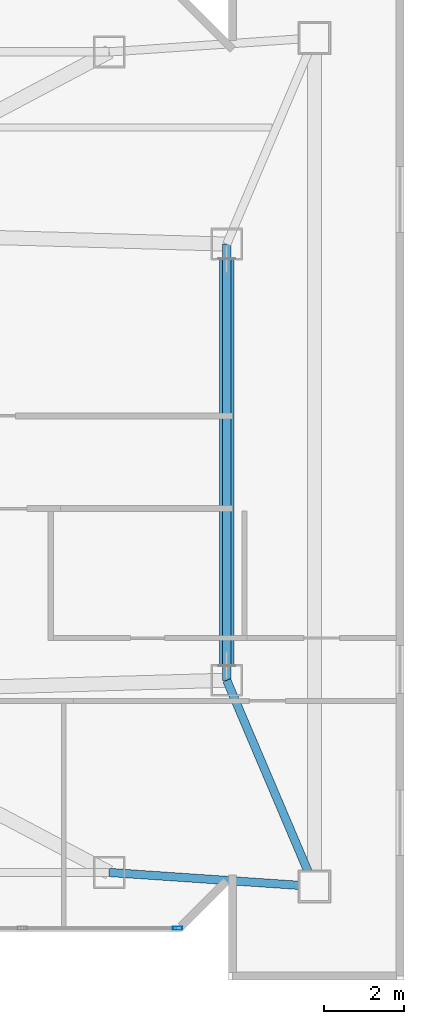
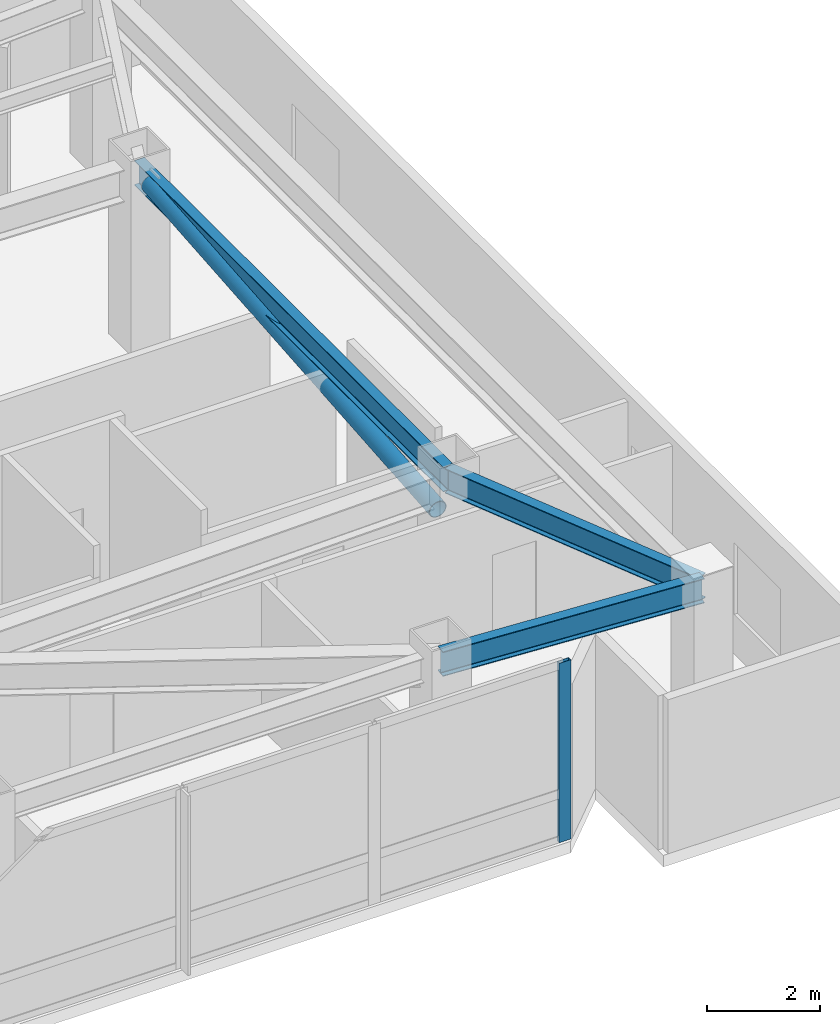
# One storey, part 6 of 12: 3 beams, 2 members, 1 element without a shape of its own.
"""IFC4 building model written with IfcOpenShell, lengths in metres."""

from ifc_helpers import new_model, si_unit, direction, frame, origin, origin_2d, place, context, subcontext, project, spatial, hollow_rectangle, hollow_circle, i_section, extrude, material, material_profile, profile_set, type_object, element, aggregate, save


model = new_model("IFC4")

# Units and contexts
model_context = context("Model", 3, precision=1e-05, world=origin(), true_north=direction((0.0, 1.0)))
body_context = subcontext(model_context, "Body", "Model", "MODEL_VIEW")
ifc_project = project(units=[si_unit("LENGTHUNIT", "METRE"), si_unit("AREAUNIT", "SQUARE_METRE"), si_unit("VOLUMEUNIT", "CUBIC_METRE"), si_unit("PLANEANGLEUNIT", "RADIAN"), si_unit("MASSUNIT", "GRAM", prefix="KILO")], contexts=[model_context])

# Site, building, storey
site_placement = place(None, origin())
site = spatial("IfcSite", under=ifc_project, at=site_placement, CompositionType="ELEMENT")
building_placement = place(site_placement, origin())
building = spatial("IfcBuilding", under=site, at=building_placement, Name="Khamvora Tower", CompositionType="ELEMENT")
storey_placement = place(building_placement, frame((0.0, 0.0, 298.85009765625)))
storey = spatial("IfcBuildingStorey", under=building, at=storey_placement, Name="L76", CompositionType="ELEMENT", Elevation=298.85009765625)

# Beams
ifc_material_1 = material(Name="Steel S355", Category="steel")
ifc_material_profile_1 = material_profile(ifc_material_1, i_section(OverallWidth=0.208984375, OverallDepth=0.532958984375, WebThickness=0.010009765625, FlangeThickness=0.01611328125, FilletRadius=0.013916015625, at=origin_2d()), Name="W530x92")
ifc_profile_set_1 = profile_set([ifc_material_profile_1], Name="Steel S355")
beam_type = type_object("IfcBeamType", Name="BM-SP-W530x92", PredefinedType="SPANDREL", material=ifc_profile_set_1)
beam_1_placement = place(storey_placement, frame((59.0, 17.699951171875, 3.614013671875), z_axis=(0.997700441509, -0.067777791442, 0.0), x_axis=(0.067777791442, 0.997700441509, 0.0)))
element("IfcBeam", 1, at=beam_1_placement, inside=storey, type_object=beam_type, Name="L76 perimeter spandrel beam S4-EC1", PredefinedType="SPANDREL", context=body_context, shape_type="SweptSolid", body=[
    extrude(i_section(OverallWidth=0.208984375, OverallDepth=0.532958984375, WebThickness=0.010009765625, FlangeThickness=0.01611328125, FilletRadius=0.013916015625, at=origin_2d()), origin(), (0.0, 0.0, 1.0), 5.161865234375),
])
beam_2_placement = place(storey_placement, frame((64.14990234375, 17.35009765625, 3.614013671875), z_axis=(-0.391239931832, 0.920288713252, 0.0), x_axis=(-0.920288713252, -0.391239931832, 0.0)))
element("IfcBeam", 2, at=beam_2_placement, inside=storey, type_object=beam_type, Name="L76 perimeter spandrel beam EC1-E1", PredefinedType="SPANDREL", context=body_context, shape_type="SweptSolid", body=[
    extrude(i_section(OverallWidth=0.208984375, OverallDepth=0.532958984375, WebThickness=0.010009765625, FlangeThickness=0.01611328125, FilletRadius=0.013916015625, at=origin_2d()), origin(), (0.0, 0.0, 1.0), 5.623046875),
])
beam_3_placement = place(storey_placement, frame((61.949951171875, 22.52490234375, 3.614013671875), z_axis=(0.0, 1.0, 0.0), x_axis=(-1.0, 0.0, 0.0)))
element("IfcBeam", 3, at=beam_3_placement, inside=storey, type_object=beam_type, Name="L76 perimeter spandrel beam E1-E2", PredefinedType="SPANDREL", context=body_context, shape_type="SweptSolid", body=[
    extrude(i_section(OverallWidth=0.208984375, OverallDepth=0.532958984375, WebThickness=0.010009765625, FlangeThickness=0.01611328125, FilletRadius=0.013916015625, at=origin_2d()), origin(), (0.0, 0.0, 1.0), 10.9501953125),
])

# Curtain wall, member
ifc_material_2 = material(Name="Anodised Aluminium 6063-T6", Category="aluminium")
curtain_wall_type = type_object("IfcCurtainWallType", Name="CW-SYS-06", PredefinedType="NOTDEFINED", material=ifc_material_2)
curtain_wall_placement = place(storey_placement, origin())
curtain_wall = element("IfcCurtainWall", 4, at=curtain_wall_placement, inside=storey, type_object=curtain_wall_type, Name="L76 stick curtain wall 01.1", PredefinedType="NOTDEFINED")
ifc_material_profile_2 = material_profile(ifc_material_2, hollow_rectangle(XDim=0.080078125, YDim=0.239990234375, WallThickness=0.0048828125, at=origin_2d()), Name="MUL80x240x5")
ifc_profile_set_2 = profile_set([ifc_material_profile_2], Name="Anodised Aluminium 6063-T6")
member_type_1 = type_object("IfcMemberType", Name="CW-SYS-06-MUL", PredefinedType="MULLION", material=ifc_profile_set_2)
member_1_placement = place(storey_placement, frame((60.718994140625, 16.300048828125, 0.0), z_axis=(0.0, 0.0, 1.0), x_axis=(0.0, -1.0, 0.0)))
member_1 = element("IfcMember", 5, at=member_1_placement, type_object=member_type_1, Name="CW-06 mullion 1", PredefinedType="MULLION", context=body_context, shape_type="SweptSolid", body=[
    extrude(hollow_rectangle(XDim=0.080078125, YDim=0.239990234375, WallThickness=0.0048828125, at=origin_2d()), origin(), (0.0, 0.0, 1.0), 3.8798828125),
])
aggregate(curtain_wall, [member_1])

# Member
ifc_material_profile_3 = material_profile(ifc_material_1, hollow_circle(Radius=0.177978515625, WallThickness=0.013916015625, at=origin_2d()), Name="CHS356x14")
ifc_profile_set_3 = profile_set([ifc_material_profile_3], Name="Steel S355")
member_type_2 = type_object("IfcMemberType", Name="MEM-BR-CHS356", PredefinedType="BRACE", material=ifc_profile_set_3)
member_2_placement = place(storey_placement, frame((61.949951171875, 22.904052734375, 2.7119140625), z_axis=(0.0, 0.996377511033, 0.08504031696), x_axis=(-1.0, 0.0, 0.0)))
element("IfcMember", 6, at=member_2_placement, inside=storey, type_object=member_type_2, Name="L76 perimeter wind brace 2", PredefinedType="BRACE", context=body_context, shape_type="SweptSolid", body=[
    extrude(hollow_circle(Radius=0.177978515625, WallThickness=0.013916015625, at=origin_2d()), origin(), (0.0, 0.0, 1.0), 10.22900390625),
])

save(model, "model.ifc")
